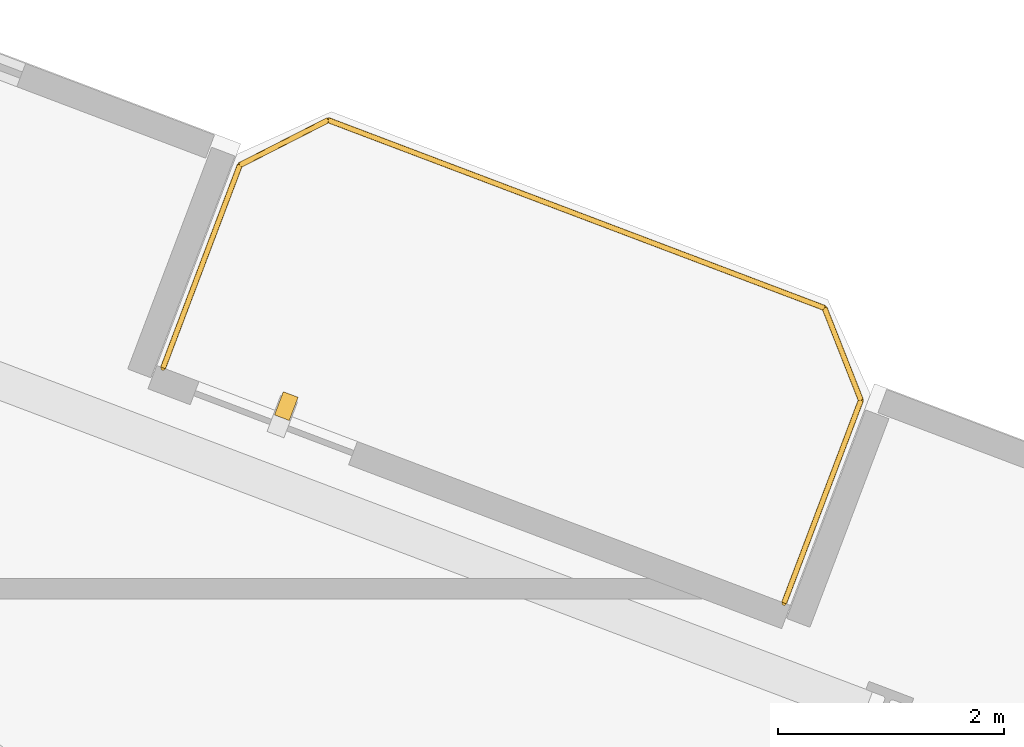
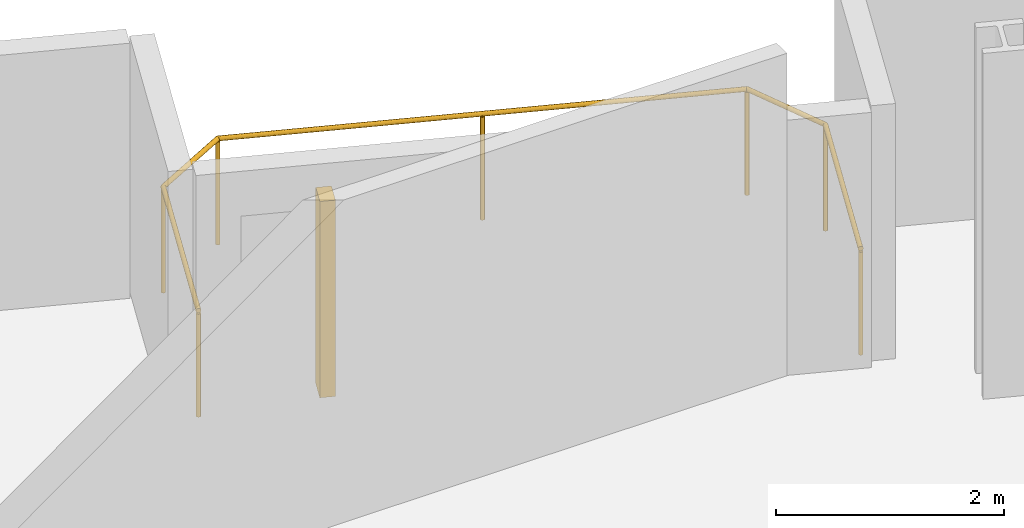
# One storey, part 25 of 25: 1 railing, 1 shading device.
"""IFC4 building model written with IfcOpenShell, lengths in metres."""

from ifc_helpers import new_model, si_unit, direction, frame, origin, origin_2d, place, context, subcontext, project, spatial, rectangle, circle, extrude, source, transform, mapped, material, type_object, element, save


model = new_model("IFC4")

# Units and contexts
model_context = context("Model", 3, precision=1e-05, world=origin(), true_north=direction((0.0, 1.0)))
body_context = subcontext(model_context, "Body", "Model", "MODEL_VIEW")
ifc_project = project(units=[si_unit("LENGTHUNIT", "METRE"), si_unit("AREAUNIT", "SQUARE_METRE"), si_unit("VOLUMEUNIT", "CUBIC_METRE"), si_unit("PLANEANGLEUNIT", "RADIAN"), si_unit("MASSUNIT", "GRAM", prefix="KILO")], contexts=[model_context])

# Site, building, storey
site_placement = place(None, origin())
site = spatial("IfcSite", under=ifc_project, at=site_placement, CompositionType="ELEMENT")
building_placement = place(site_placement, origin())
building = spatial("IfcBuilding", under=site, at=building_placement, Name="Varnelok Gate Tower", CompositionType="ELEMENT")
storey_placement = place(building_placement, frame((0.0, 0.0, 76.199951171875)))
storey = spatial("IfcBuildingStorey", under=building, at=storey_placement, Name="L18", CompositionType="ELEMENT", Elevation=76.199951171875)

# Railing
ifc_material_1 = material(Name="Low-E Laminated Double Glazing IGU", Category="glass")
railing_type = type_object("IfcRailingType", Name="RL-BALC-1150", PredefinedType="BALUSTRADE", material=ifc_material_1)
railing_placement = place(storey_placement, frame((57.49462890625, 41.256103515625, 0.0)))
element("IfcRailing", 1, at=railing_placement, inside=storey, type_object=railing_type, Name="L18 North Terrace Balustrade 6", PredefinedType="BALUSTRADE", context=body_context, shape_type="SweptSolid", body=[
    extrude(circle(Radius=0.02392578125, at=origin_2d()), frame((0.0, 0.0, 1.1259765625), z_axis=(0.354006333352, 0.935243025073, 0.0), x_axis=(-0.935243025073, 0.354006333352, 0.0)), (0.0, 0.0, 1.0), 1.919921875),
    extrude(circle(Radius=0.02392578125, at=origin_2d()), frame((0.6796875, 1.795654296875, 1.1259765625), z_axis=(0.89078254773, 0.454429810487, 0.0), x_axis=(-0.454429810487, 0.89078254773, 0.0)), (0.0, 0.0, 1.0), 0.8779296875),
    extrude(circle(Radius=0.02392578125, at=origin_2d()), frame((1.461669921875, 2.194580078125, 1.1259765625), z_axis=(0.935223045203, -0.354059113314, 0.0), x_axis=(0.354059113314, 0.935223045203, 0.0)), (0.0, 0.0, 1.0), 4.699951171875),
    extrude(circle(Radius=0.02392578125, at=origin_2d()), frame((5.857177734375, 0.530517578125, 1.1259765625), z_axis=(0.36659018357, -0.930382522036, 0.0), x_axis=(0.930382522036, 0.36659018357, 0.0)), (0.0, 0.0, 1.0), 0.877685546875),
    extrude(circle(Radius=0.02392578125, at=origin_2d()), frame((6.178955078125, -0.2861328125, 1.1259765625), z_axis=(-0.354117547856, -0.935200920819, 0.0), x_axis=(0.935200920819, -0.354117547856, 0.0)), (0.0, 0.0, 1.0), 1.920166015625),
    extrude(circle(Radius=0.02099609375, at=origin_2d()), origin(), (0.0, 0.0, 1.0), 1.101806640625),
    extrude(circle(Radius=0.02099609375, at=origin_2d()), frame((0.6796875, 1.795654296875, 0.0)), (0.0, 0.0, 1.0), 1.101806640625),
    extrude(circle(Radius=0.02099609375, at=origin_2d()), frame((1.461669921875, 2.194580078125, 0.0)), (0.0, 0.0, 1.0), 1.101806640625),
    extrude(circle(Radius=0.02099609375, at=origin_2d()), frame((3.659423828125, 1.362548828125, 0.0)), (0.0, 0.0, 1.0), 1.101806640625),
    extrude(circle(Radius=0.02099609375, at=origin_2d()), frame((5.857177734375, 0.530517578125, 0.0)), (0.0, 0.0, 1.0), 1.101806640625),
    extrude(circle(Radius=0.02099609375, at=origin_2d()), frame((6.178955078125, -0.2861328125, 0.0)), (0.0, 0.0, 1.0), 1.101806640625),
    extrude(circle(Radius=0.02099609375, at=origin_2d()), frame((5.4990234375, -2.081787109375, 0.0)), (0.0, 0.0, 1.0), 1.101806640625),
])

# Shading device
ifc_material_2 = material(Name="Glazed Architectural Terracotta Ceramic", Category="masonry")
shading_device_type = type_object("IfcShadingDeviceType", Name="SHD-TERRA-BAGUETTE", PredefinedType="USERDEFINED", material=ifc_material_2)
shared_shape = source(origin(), body_context, "Body", "SweptSolid", [
    extrude(rectangle(XDim=0.139892578125, YDim=0.219970703125, at=origin_2d()), origin(), (0.0, 0.0, 1.0), 2.10009765625),
])
shading_device_placement = place(storey_placement, frame((58.58544921875, 40.91796875, 0.10009765625), z_axis=(0.0, 0.0, 1.0), x_axis=(0.935221751401, -0.354062530786, 0.0)))
element("IfcShadingDevice", 2, at=shading_device_placement, inside=storey, type_object=shading_device_type, Name="L18 Terracotta Ceramic Baguette Sunscreen 6.1", ObjectType="BAGUETTE", PredefinedType="USERDEFINED", context=body_context, shape_type="MappedRepresentation", body=[
    mapped(shared_shape, transform((0.0, 0.0, 0.0), scale=1.0)),
])

save(model, "model.ifc")
